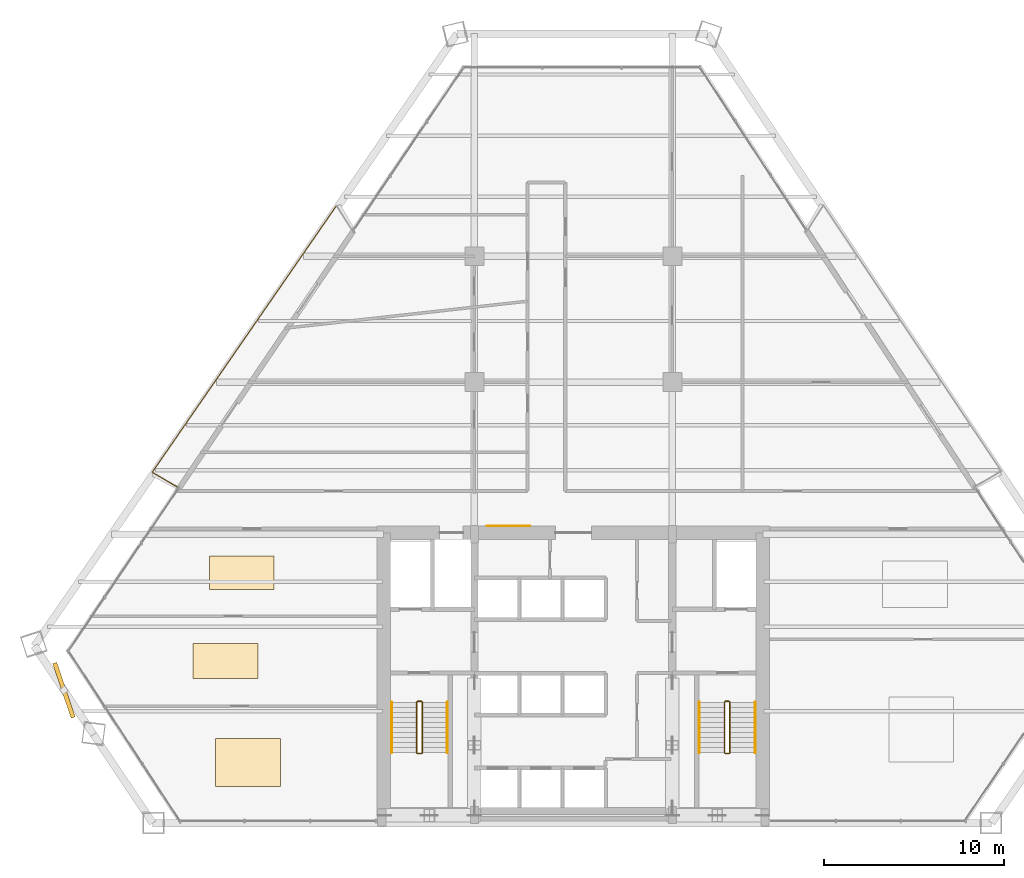
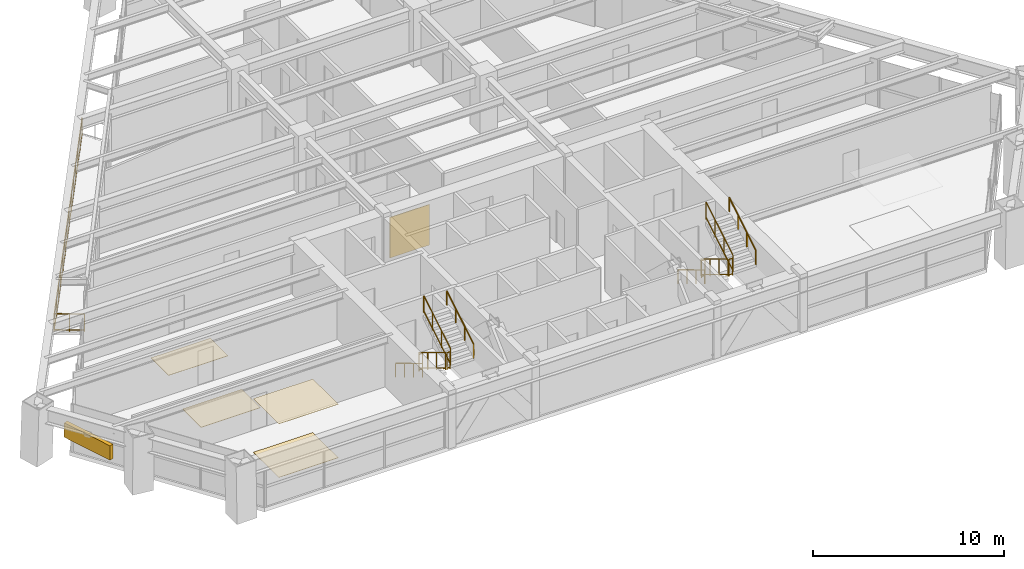
# One storey, part 13 of 14: 14 railings, 5 coverings, 1 shading device.
"""IFC4 building model written with IfcOpenShell, lengths in metres."""

from ifc_helpers import new_model, si_unit, direction, frame, origin, origin_2d, place, context, subcontext, project, spatial, rectangle, extrude, source, transform, mapped, material, layer, layer_set, type_object, type_shapes, element, save


model = new_model("IFC4")

# Units and contexts
model_context = context("Model", 3, precision=1e-05, world=origin(), true_north=direction((0.0, 1.0)))
body_context = subcontext(model_context, "Body", "Model", "MODEL_VIEW")
ifc_project = project(units=[si_unit("LENGTHUNIT", "METRE"), si_unit("AREAUNIT", "SQUARE_METRE"), si_unit("VOLUMEUNIT", "CUBIC_METRE"), si_unit("PLANEANGLEUNIT", "RADIAN"), si_unit("MASSUNIT", "GRAM", prefix="KILO")], contexts=[model_context])

# Site, building, storey
site_placement = place(None, origin())
site = spatial("IfcSite", under=ifc_project, at=site_placement, CompositionType="ELEMENT")
building_placement = place(site_placement, origin())
building = spatial("IfcBuilding", under=site, at=building_placement, Name="Varnakhor Terracotta Tower", CompositionType="ELEMENT")
storey_placement = place(building_placement, frame((0.0, 0.0, 76.60009765625)))
storey = spatial("IfcBuildingStorey", under=building, at=storey_placement, Name="L18", CompositionType="ELEMENT", Elevation=76.60009765625)

# Railings
ifc_material_1 = material(Name="Stainless Steel & Laminated Glass Guardrail", Category="steel")
railing_type_1 = type_object("IfcRailingType", Name="RLG-LOGGIA-GUARD-1150", PredefinedType="GUARDRAIL", material=ifc_material_1)
railing_1_placement = place(storey_placement, frame((-22.029052734375, 18.680419921875, 0.0)))
element("IfcRailing", 1, at=railing_1_placement, inside=storey, type_object=railing_type_1, Name="L18 W Loggia Glass Guard 1", PredefinedType="GUARDRAIL", context=body_context, shape_type="SweptSolid", body=[
    extrude(rectangle(XDim=0.048095703125, YDim=0.048095703125, at=origin_2d()), frame((0.0, 0.0, 1.1259765625), z_axis=(-0.859187314516, 0.51166117556, 0.0), x_axis=(-0.51166117556, -0.859187314516, 0.0)), (0.0, 0.0, 1.0), 1.597412109375),
    extrude(rectangle(XDim=0.048095703125, YDim=0.048095703125, at=origin_2d()), frame((0.0, 0.0, 0.10009765625), z_axis=(-0.859187314516, 0.51166117556, 0.0), x_axis=(-0.51166117556, -0.859187314516, 0.0)), (0.0, 0.0, 1.0), 1.597412109375),
    extrude(rectangle(XDim=0.0419921875, YDim=0.0419921875, at=origin_2d()), origin(), (0.0, 0.0, 1.0), 1.101806640625),
    extrude(rectangle(XDim=0.0419921875, YDim=0.0419921875, at=origin_2d()), frame((-0.686279296875, 0.40869140625, 0.0)), (0.0, 0.0, 1.0), 1.101806640625),
    extrude(rectangle(XDim=0.0419921875, YDim=0.0419921875, at=origin_2d()), frame((-1.37255859375, 0.8173828125, 0.0)), (0.0, 0.0, 1.0), 1.101806640625),
])
railing_2_placement = place(storey_placement, frame((-23.401611328125, 19.497802734375, 0.0)))
element("IfcRailing", 2, at=railing_2_placement, inside=storey, type_object=railing_type_1, Name="L18 W Loggia Glass Guard 2", PredefinedType="GUARDRAIL", context=body_context, shape_type="SweptSolid", body=[
    extrude(rectangle(XDim=0.048095703125, YDim=0.048095703125, at=origin_2d()), frame((0.0, 0.0, 1.1259765625), z_axis=(0.568575075334, 0.82263137778, 0.0), x_axis=(-0.82263137778, 0.568575075334, 0.0)), (0.0, 0.0, 1.0), 18.0009765625),
    extrude(rectangle(XDim=0.048095703125, YDim=0.048095703125, at=origin_2d()), frame((0.0, 0.0, 0.10009765625), z_axis=(0.568575075334, 0.82263137778, 0.0), x_axis=(-0.82263137778, 0.568575075334, 0.0)), (0.0, 0.0, 1.0), 18.0009765625),
    extrude(rectangle(XDim=0.0419921875, YDim=0.0419921875, at=origin_2d()), origin(), (0.0, 0.0, 1.0), 1.101806640625),
    extrude(rectangle(XDim=0.0419921875, YDim=0.0419921875, at=origin_2d()), frame((0.787353515625, 1.13916015625, 0.0)), (0.0, 0.0, 1.0), 1.101806640625),
    extrude(rectangle(XDim=0.0419921875, YDim=0.0419921875, at=origin_2d()), frame((1.57470703125, 2.278076171875, 0.0)), (0.0, 0.0, 1.0), 1.101806640625),
    extrude(rectangle(XDim=0.0419921875, YDim=0.0419921875, at=origin_2d()), frame((2.36181640625, 3.417236328125, 0.0)), (0.0, 0.0, 1.0), 1.101806640625),
    extrude(rectangle(XDim=0.0419921875, YDim=0.0419921875, at=origin_2d()), frame((3.149169921875, 4.556396484375, 0.0)), (0.0, 0.0, 1.0), 1.101806640625),
    extrude(rectangle(XDim=0.0419921875, YDim=0.0419921875, at=origin_2d()), frame((3.9365234375, 5.6953125, 0.0)), (0.0, 0.0, 1.0), 1.101806640625),
    extrude(rectangle(XDim=0.0419921875, YDim=0.0419921875, at=origin_2d()), frame((4.723876953125, 6.83447265625, 0.0)), (0.0, 0.0, 1.0), 1.101806640625),
    extrude(rectangle(XDim=0.0419921875, YDim=0.0419921875, at=origin_2d()), frame((5.510986328125, 7.9736328125, 0.0)), (0.0, 0.0, 1.0), 1.101806640625),
    extrude(rectangle(XDim=0.0419921875, YDim=0.0419921875, at=origin_2d()), frame((6.29833984375, 9.11279296875, 0.0)), (0.0, 0.0, 1.0), 1.101806640625),
    extrude(rectangle(XDim=0.0419921875, YDim=0.0419921875, at=origin_2d()), frame((7.085693359375, 10.251708984375, 0.0)), (0.0, 0.0, 1.0), 1.101806640625),
    extrude(rectangle(XDim=0.0419921875, YDim=0.0419921875, at=origin_2d()), frame((7.873046875, 11.390869140625, 0.0)), (0.0, 0.0, 1.0), 1.101806640625),
    extrude(rectangle(XDim=0.0419921875, YDim=0.0419921875, at=origin_2d()), frame((8.66015625, 12.530029296875, 0.0)), (0.0, 0.0, 1.0), 1.101806640625),
    extrude(rectangle(XDim=0.0419921875, YDim=0.0419921875, at=origin_2d()), frame((9.447509765625, 13.6689453125, 0.0)), (0.0, 0.0, 1.0), 1.101806640625),
    extrude(rectangle(XDim=0.0419921875, YDim=0.0419921875, at=origin_2d()), frame((10.23486328125, 14.80810546875, 0.0)), (0.0, 0.0, 1.0), 1.101806640625),
])
ifc_material_2 = material(Name="Painted Steel Stairwell Guardrail", Category="steel")
railing_type_2 = type_object("IfcRailingType", Name="RLG-STAIR-GUARD-1120", PredefinedType="GUARDRAIL", material=ifc_material_2)
railing_3_placement = place(storey_placement, frame((-8.699951171875, 6.7099609375, 0.16796875)))
element("IfcRailing", 3, at=railing_3_placement, inside=storey, type_object=railing_type_2, Name="L18 ST-1 stair guard 1", PredefinedType="GUARDRAIL", context=body_context, shape_type="SweptSolid", body=[
    extrude(rectangle(XDim=0.048095703125, YDim=0.048095703125, at=origin_2d()), frame((0.0, 0.0, 1.09619140625), z_axis=(0.0, -0.857242210791, 0.514913383045), x_axis=(1.0, 0.0, 0.0)), (0.0, 0.0, 1.0), 3.266357421875),
    extrude(rectangle(XDim=0.048095703125, YDim=0.048095703125, at=origin_2d()), frame((0.0, 0.0, 0.10009765625), z_axis=(0.0, -0.857242210791, 0.514913383045), x_axis=(1.0, 0.0, 0.0)), (0.0, 0.0, 1.0), 3.266357421875),
    extrude(rectangle(XDim=0.0419921875, YDim=0.0419921875, at=origin_2d()), origin(), (0.0, 0.0, 1.0), 1.072021484375),
    extrude(rectangle(XDim=0.0419921875, YDim=0.0419921875, at=origin_2d()), frame((0.0, -0.933349609375, 0.560546875)), (0.0, 0.0, 1.0), 1.072021484375),
    extrude(rectangle(XDim=0.0419921875, YDim=0.0419921875, at=origin_2d()), frame((0.0, -1.86669921875, 1.121337890625)), (0.0, 0.0, 1.0), 1.072021484375),
    extrude(rectangle(XDim=0.0419921875, YDim=0.0419921875, at=origin_2d()), frame((0.0, -2.800048828125, 1.681884765625)), (0.0, 0.0, 1.0), 1.072021484375),
])
railing_4_placement = place(storey_placement, frame((-8.64990234375, 3.860107421875, 1.849853515625)))
element("IfcRailing", 4, at=railing_4_placement, inside=storey, type_object=railing_type_2, Name="L18 ST-1 stair guard 2", PredefinedType="GUARDRAIL", context=body_context, shape_type="SweptSolid", body=[
    extrude(rectangle(XDim=0.048095703125, YDim=0.048095703125, at=origin_2d()), frame((0.0, 0.0, 1.09619140625), z_axis=(1.0, 0.0, 0.0), x_axis=(0.0, 1.0, 0.0)), (0.0, 0.0, 1.0), 0.199951171875),
    extrude(rectangle(XDim=0.048095703125, YDim=0.048095703125, at=origin_2d()), frame((0.0, 0.0, 0.10009765625), z_axis=(1.0, 0.0, 0.0), x_axis=(0.0, 1.0, 0.0)), (0.0, 0.0, 1.0), 0.199951171875),
    extrude(rectangle(XDim=0.0419921875, YDim=0.0419921875, at=origin_2d()), origin(), (0.0, 0.0, 1.0), 1.072021484375),
    extrude(rectangle(XDim=0.0419921875, YDim=0.0419921875, at=origin_2d()), frame((0.199951171875, 0.0, 0.0)), (0.0, 0.0, 1.0), 1.072021484375),
])
railing_5_placement = place(storey_placement, frame((-8.39990234375, 3.909912109375, 2.01806640625)))
element("IfcRailing", 5, at=railing_5_placement, inside=storey, type_object=railing_type_2, Name="L18 ST-1 stair guard 3", PredefinedType="GUARDRAIL", context=body_context, shape_type="SweptSolid", body=[
    extrude(rectangle(XDim=0.048095703125, YDim=0.048095703125, at=origin_2d()), frame((0.0, 0.0, 1.09619140625), z_axis=(0.0, 0.857242210791, 0.514913383045), x_axis=(-1.0, 0.0, 0.0)), (0.0, 0.0, 1.0), 3.266357421875),
    extrude(rectangle(XDim=0.048095703125, YDim=0.048095703125, at=origin_2d()), frame((0.0, 0.0, 0.10009765625), z_axis=(0.0, 0.857242210791, 0.514913383045), x_axis=(-1.0, 0.0, 0.0)), (0.0, 0.0, 1.0), 3.266357421875),
    extrude(rectangle(XDim=0.0419921875, YDim=0.0419921875, at=origin_2d()), origin(), (0.0, 0.0, 1.0), 1.072021484375),
    extrude(rectangle(XDim=0.0419921875, YDim=0.0419921875, at=origin_2d()), frame((0.0, 0.933349609375, 0.560546875)), (0.0, 0.0, 1.0), 1.072021484375),
    extrude(rectangle(XDim=0.0419921875, YDim=0.0419921875, at=origin_2d()), frame((0.0, 1.86669921875, 1.121337890625)), (0.0, 0.0, 1.0), 1.072021484375),
    extrude(rectangle(XDim=0.0419921875, YDim=0.0419921875, at=origin_2d()), frame((0.0, 2.800048828125, 1.681884765625)), (0.0, 0.0, 1.0), 1.072021484375),
])
railing_6_placement = place(storey_placement, frame((-8.64990234375, 6.760009765625, 0.0)))
element("IfcRailing", 6, at=railing_6_placement, inside=storey, type_object=railing_type_2, Name="L18 ST-1 stair guard 4", PredefinedType="GUARDRAIL", context=body_context, shape_type="SweptSolid", body=[
    extrude(rectangle(XDim=0.048095703125, YDim=0.048095703125, at=origin_2d()), frame((0.0, 0.0, 1.09619140625), z_axis=(1.0, 0.0, 0.0), x_axis=(0.0, 1.0, 0.0)), (0.0, 0.0, 1.0), 0.199951171875),
    extrude(rectangle(XDim=0.048095703125, YDim=0.048095703125, at=origin_2d()), frame((0.0, 0.0, 0.10009765625), z_axis=(1.0, 0.0, 0.0), x_axis=(0.0, 1.0, 0.0)), (0.0, 0.0, 1.0), 0.199951171875),
    extrude(rectangle(XDim=0.0419921875, YDim=0.0419921875, at=origin_2d()), origin(), (0.0, 0.0, 1.0), 1.072021484375),
    extrude(rectangle(XDim=0.0419921875, YDim=0.0419921875, at=origin_2d()), frame((0.199951171875, 0.0, 0.0)), (0.0, 0.0, 1.0), 1.072021484375),
])
railing_7_placement = place(storey_placement, frame((8.39990234375, 6.7099609375, 0.16796875)))
element("IfcRailing", 7, at=railing_7_placement, inside=storey, type_object=railing_type_2, Name="L18 ST-2 stair guard 1", PredefinedType="GUARDRAIL", context=body_context, shape_type="SweptSolid", body=[
    extrude(rectangle(XDim=0.048095703125, YDim=0.048095703125, at=origin_2d()), frame((0.0, 0.0, 1.09619140625), z_axis=(0.0, -0.857242210791, 0.514913383045), x_axis=(1.0, 0.0, 0.0)), (0.0, 0.0, 1.0), 3.266357421875),
    extrude(rectangle(XDim=0.048095703125, YDim=0.048095703125, at=origin_2d()), frame((0.0, 0.0, 0.10009765625), z_axis=(0.0, -0.857242210791, 0.514913383045), x_axis=(1.0, 0.0, 0.0)), (0.0, 0.0, 1.0), 3.266357421875),
    extrude(rectangle(XDim=0.0419921875, YDim=0.0419921875, at=origin_2d()), origin(), (0.0, 0.0, 1.0), 1.072021484375),
    extrude(rectangle(XDim=0.0419921875, YDim=0.0419921875, at=origin_2d()), frame((0.0, -0.933349609375, 0.560546875)), (0.0, 0.0, 1.0), 1.072021484375),
    extrude(rectangle(XDim=0.0419921875, YDim=0.0419921875, at=origin_2d()), frame((0.0, -1.86669921875, 1.121337890625)), (0.0, 0.0, 1.0), 1.072021484375),
    extrude(rectangle(XDim=0.0419921875, YDim=0.0419921875, at=origin_2d()), frame((0.0, -2.800048828125, 1.681884765625)), (0.0, 0.0, 1.0), 1.072021484375),
])
railing_8_placement = place(storey_placement, frame((8.449951171875, 3.860107421875, 1.849853515625)))
element("IfcRailing", 8, at=railing_8_placement, inside=storey, type_object=railing_type_2, Name="L18 ST-2 stair guard 2", PredefinedType="GUARDRAIL", context=body_context, shape_type="SweptSolid", body=[
    extrude(rectangle(XDim=0.048095703125, YDim=0.048095703125, at=origin_2d()), frame((0.0, 0.0, 1.09619140625), z_axis=(1.0, 0.0, 0.0), x_axis=(0.0, 1.0, 0.0)), (0.0, 0.0, 1.0), 0.199951171875),
    extrude(rectangle(XDim=0.048095703125, YDim=0.048095703125, at=origin_2d()), frame((0.0, 0.0, 0.10009765625), z_axis=(1.0, 0.0, 0.0), x_axis=(0.0, 1.0, 0.0)), (0.0, 0.0, 1.0), 0.199951171875),
    extrude(rectangle(XDim=0.0419921875, YDim=0.0419921875, at=origin_2d()), origin(), (0.0, 0.0, 1.0), 1.072021484375),
    extrude(rectangle(XDim=0.0419921875, YDim=0.0419921875, at=origin_2d()), frame((0.199951171875, 0.0, 0.0)), (0.0, 0.0, 1.0), 1.072021484375),
])
railing_9_placement = place(storey_placement, frame((8.699951171875, 3.909912109375, 2.01806640625)))
element("IfcRailing", 9, at=railing_9_placement, inside=storey, type_object=railing_type_2, Name="L18 ST-2 stair guard 3", PredefinedType="GUARDRAIL", context=body_context, shape_type="SweptSolid", body=[
    extrude(rectangle(XDim=0.048095703125, YDim=0.048095703125, at=origin_2d()), frame((0.0, 0.0, 1.09619140625), z_axis=(0.0, 0.857242210791, 0.514913383045), x_axis=(-1.0, 0.0, 0.0)), (0.0, 0.0, 1.0), 3.266357421875),
    extrude(rectangle(XDim=0.048095703125, YDim=0.048095703125, at=origin_2d()), frame((0.0, 0.0, 0.10009765625), z_axis=(0.0, 0.857242210791, 0.514913383045), x_axis=(-1.0, 0.0, 0.0)), (0.0, 0.0, 1.0), 3.266357421875),
    extrude(rectangle(XDim=0.0419921875, YDim=0.0419921875, at=origin_2d()), origin(), (0.0, 0.0, 1.0), 1.072021484375),
    extrude(rectangle(XDim=0.0419921875, YDim=0.0419921875, at=origin_2d()), frame((0.0, 0.933349609375, 0.560546875)), (0.0, 0.0, 1.0), 1.072021484375),
    extrude(rectangle(XDim=0.0419921875, YDim=0.0419921875, at=origin_2d()), frame((0.0, 1.86669921875, 1.121337890625)), (0.0, 0.0, 1.0), 1.072021484375),
    extrude(rectangle(XDim=0.0419921875, YDim=0.0419921875, at=origin_2d()), frame((0.0, 2.800048828125, 1.681884765625)), (0.0, 0.0, 1.0), 1.072021484375),
])
railing_10_placement = place(storey_placement, frame((8.449951171875, 6.760009765625, 0.0)))
element("IfcRailing", 10, at=railing_10_placement, inside=storey, type_object=railing_type_2, Name="L18 ST-2 stair guard 4", PredefinedType="GUARDRAIL", context=body_context, shape_type="SweptSolid", body=[
    extrude(rectangle(XDim=0.048095703125, YDim=0.048095703125, at=origin_2d()), frame((0.0, 0.0, 1.09619140625), z_axis=(1.0, 0.0, 0.0), x_axis=(0.0, 1.0, 0.0)), (0.0, 0.0, 1.0), 0.199951171875),
    extrude(rectangle(XDim=0.048095703125, YDim=0.048095703125, at=origin_2d()), frame((0.0, 0.0, 0.10009765625), z_axis=(1.0, 0.0, 0.0), x_axis=(0.0, 1.0, 0.0)), (0.0, 0.0, 1.0), 0.199951171875),
    extrude(rectangle(XDim=0.0419921875, YDim=0.0419921875, at=origin_2d()), origin(), (0.0, 0.0, 1.0), 1.072021484375),
    extrude(rectangle(XDim=0.0419921875, YDim=0.0419921875, at=origin_2d()), frame((0.199951171875, 0.0, 0.0)), (0.0, 0.0, 1.0), 1.072021484375),
])
ifc_material_3 = material(Name="Brushed Stainless Steel Handrail", Category="steel")
railing_type_3 = type_object("IfcRailingType", Name="RLG-STAIR-HANDRAIL-920", PredefinedType="HANDRAIL", material=ifc_material_3)
railing_11_placement = place(storey_placement, frame((-10.10009765625, 6.7099609375, 0.16796875)))
element("IfcRailing", 11, at=railing_11_placement, inside=storey, type_object=railing_type_3, Name="L18 ST-1 stair handrail 1", PredefinedType="HANDRAIL", context=body_context, shape_type="SweptSolid", body=[
    extrude(rectangle(XDim=0.048095703125, YDim=0.048095703125, at=origin_2d()), frame((0.0, 0.0, 0.89599609375), z_axis=(0.0, -0.857242210791, 0.514913383045), x_axis=(1.0, 0.0, 0.0)), (0.0, 0.0, 1.0), 3.266357421875),
    extrude(rectangle(XDim=0.0419921875, YDim=0.0419921875, at=origin_2d()), origin(), (0.0, 0.0, 1.0), 0.871826171875),
    extrude(rectangle(XDim=0.0419921875, YDim=0.0419921875, at=origin_2d()), frame((0.0, -0.933349609375, 0.560546875)), (0.0, 0.0, 1.0), 0.871826171875),
    extrude(rectangle(XDim=0.0419921875, YDim=0.0419921875, at=origin_2d()), frame((0.0, -1.86669921875, 1.121337890625)), (0.0, 0.0, 1.0), 0.871826171875),
    extrude(rectangle(XDim=0.0419921875, YDim=0.0419921875, at=origin_2d()), frame((0.0, -2.800048828125, 1.681884765625)), (0.0, 0.0, 1.0), 0.871826171875),
])
railing_12_placement = place(storey_placement, frame((-7.0, 3.909912109375, 2.01806640625)))
element("IfcRailing", 12, at=railing_12_placement, inside=storey, type_object=railing_type_3, Name="L18 ST-1 stair handrail 2", PredefinedType="HANDRAIL", context=body_context, shape_type="SweptSolid", body=[
    extrude(rectangle(XDim=0.048095703125, YDim=0.048095703125, at=origin_2d()), frame((0.0, 0.0, 0.89599609375), z_axis=(0.0, 0.857242210791, 0.514913383045), x_axis=(-1.0, 0.0, 0.0)), (0.0, 0.0, 1.0), 3.266357421875),
    extrude(rectangle(XDim=0.0419921875, YDim=0.0419921875, at=origin_2d()), origin(), (0.0, 0.0, 1.0), 0.871826171875),
    extrude(rectangle(XDim=0.0419921875, YDim=0.0419921875, at=origin_2d()), frame((0.0, 0.933349609375, 0.560546875)), (0.0, 0.0, 1.0), 0.871826171875),
    extrude(rectangle(XDim=0.0419921875, YDim=0.0419921875, at=origin_2d()), frame((0.0, 1.86669921875, 1.121337890625)), (0.0, 0.0, 1.0), 0.871826171875),
    extrude(rectangle(XDim=0.0419921875, YDim=0.0419921875, at=origin_2d()), frame((0.0, 2.800048828125, 1.681884765625)), (0.0, 0.0, 1.0), 0.871826171875),
])
railing_13_placement = place(storey_placement, frame((7.0, 6.7099609375, 0.16796875)))
element("IfcRailing", 13, at=railing_13_placement, inside=storey, type_object=railing_type_3, Name="L18 ST-2 stair handrail 1", PredefinedType="HANDRAIL", context=body_context, shape_type="SweptSolid", body=[
    extrude(rectangle(XDim=0.048095703125, YDim=0.048095703125, at=origin_2d()), frame((0.0, 0.0, 0.89599609375), z_axis=(0.0, -0.857242210791, 0.514913383045), x_axis=(1.0, 0.0, 0.0)), (0.0, 0.0, 1.0), 3.266357421875),
    extrude(rectangle(XDim=0.0419921875, YDim=0.0419921875, at=origin_2d()), origin(), (0.0, 0.0, 1.0), 0.871826171875),
    extrude(rectangle(XDim=0.0419921875, YDim=0.0419921875, at=origin_2d()), frame((0.0, -0.933349609375, 0.560546875)), (0.0, 0.0, 1.0), 0.871826171875),
    extrude(rectangle(XDim=0.0419921875, YDim=0.0419921875, at=origin_2d()), frame((0.0, -1.86669921875, 1.121337890625)), (0.0, 0.0, 1.0), 0.871826171875),
    extrude(rectangle(XDim=0.0419921875, YDim=0.0419921875, at=origin_2d()), frame((0.0, -2.800048828125, 1.681884765625)), (0.0, 0.0, 1.0), 0.871826171875),
])
railing_14_placement = place(storey_placement, frame((10.10009765625, 3.909912109375, 2.01806640625)))
element("IfcRailing", 14, at=railing_14_placement, inside=storey, type_object=railing_type_3, Name="L18 ST-2 stair handrail 2", PredefinedType="HANDRAIL", context=body_context, shape_type="SweptSolid", body=[
    extrude(rectangle(XDim=0.048095703125, YDim=0.048095703125, at=origin_2d()), frame((0.0, 0.0, 0.89599609375), z_axis=(0.0, 0.857242210791, 0.514913383045), x_axis=(-1.0, 0.0, 0.0)), (0.0, 0.0, 1.0), 3.266357421875),
    extrude(rectangle(XDim=0.0419921875, YDim=0.0419921875, at=origin_2d()), origin(), (0.0, 0.0, 1.0), 0.871826171875),
    extrude(rectangle(XDim=0.0419921875, YDim=0.0419921875, at=origin_2d()), frame((0.0, 0.933349609375, 0.560546875)), (0.0, 0.0, 1.0), 0.871826171875),
    extrude(rectangle(XDim=0.0419921875, YDim=0.0419921875, at=origin_2d()), frame((0.0, 1.86669921875, 1.121337890625)), (0.0, 0.0, 1.0), 0.871826171875),
    extrude(rectangle(XDim=0.0419921875, YDim=0.0419921875, at=origin_2d()), frame((0.0, 2.800048828125, 1.681884765625)), (0.0, 0.0, 1.0), 0.871826171875),
])

# Shading device
ifc_material_4 = material(Name="Extruded Architectural Terracotta Screen", Category="masonry")
shading_device_type = type_object("IfcShadingDeviceType", Name="TERRACOTTA SOLAR SCREEN W", PredefinedType="USERDEFINED", material=ifc_material_4)
shared_shape_1 = source(origin(), body_context, "Body", "SweptSolid", [
    extrude(rectangle(XDim=3.199951171875, YDim=0.239990234375, at=origin_2d()), origin(), (0.0, 0.0, 1.0), 0.919921875),
])
type_shapes(shading_device_type, [shared_shape_1])
shading_device_placement = place(storey_placement, frame((-28.311279296875, 7.37939453125, 1.617919921875), z_axis=(0.0, 0.0, 1.0), x_axis=(0.321274189923, -0.946986216842, 0.0)))
element("IfcShadingDevice", 15, at=shading_device_placement, inside=storey, type_object=shading_device_type, Name="L18 W Terracotta Solar Screen", ObjectType="SCREEN", PredefinedType="USERDEFINED", context=body_context, shape_type="MappedRepresentation", body=[
    mapped(shared_shape_1, transform((0.0, 0.0, 0.0), scale=1.0)),
])

# Coverings
ifc_material_5 = material(Name="Extruded Architectural Terracotta Cladding", Category="masonry")
ifc_layer_1 = layer(ifc_material_5, 0.044921875, Name="Extruded Architectural Terracotta Cladding")
ifc_layer_set_1 = layer_set([ifc_layer_1], Name="Extruded Architectural Terracotta Cladding")
covering_type_1 = type_object("IfcCoveringType", Name="COV-CLAD-TERRACOTTA", PredefinedType="CLADDING", material=ifc_layer_set_1)
shared_shape_2 = source(origin(), body_context, "Body", "SweptSolid", [
    extrude(rectangle(XDim=2.39990234375, YDim=0.030029296875, at=origin_2d()), origin(), (0.0, 0.0, 1.0), 2.60009765625),
])
type_shapes(covering_type_1, [shared_shape_2])
covering_1_placement = place(storey_placement, frame((-3.60009765625, 16.511962890625, -0.000244140625), z_axis=(0.0, 0.0, 1.0), x_axis=(1.0, 0.0, 0.0)))
element("IfcCovering", 16, at=covering_1_placement, inside=storey, type_object=covering_type_1, Name="L18 Core Lobby Limestone Cladding", PredefinedType="CLADDING", context=body_context, shape_type="MappedRepresentation", body=[
    mapped(shared_shape_2, transform((0.0, 0.0, 0.0), scale=1.0)),
])
ifc_material_6 = material(Name="Honed Riyadh Limestone Flooring", Category="masonry")
ifc_layer_2 = layer(ifc_material_6, 0.030029296875, Name="Honed Riyadh Limestone Flooring")
ifc_layer_set_2 = layer_set([ifc_layer_2], Name="Honed Riyadh Limestone Flooring")
covering_type_2 = type_object("IfcCoveringType", Name="COV-FLOOR-LIMESTONE", PredefinedType="FLOORING", material=ifc_layer_set_2)
shared_shape_3 = source(origin(), body_context, "Body", "SweptSolid", [
    extrude(rectangle(XDim=3.60009765625, YDim=1.950927734375, at=origin_2d()), origin(), (0.0, 0.0, 1.0), 0.02001953125),
])
covering_2_placement = place(storey_placement, frame((-19.326904296875, 9.0, 0.0), z_axis=(0.0, 0.0, 1.0), x_axis=(1.0, 0.0, 0.0)))
element("IfcCovering", 17, at=covering_2_placement, inside=storey, type_object=covering_type_2, Name="L18 Honed Stone Flooring 3", PredefinedType="FLOORING", context=body_context, shape_type="MappedRepresentation", body=[
    mapped(shared_shape_3, transform((0.0, 0.0, 0.0), scale=1.0)),
])
shared_shape_4 = source(origin(), body_context, "Body", "SweptSolid", [
    extrude(rectangle(XDim=3.60009765625, YDim=2.6640625, at=origin_2d()), origin(), (0.0, 0.0, 1.0), 0.02001953125),
])
covering_3_placement = place(storey_placement, frame((-18.0859375, 3.35205078125, 0.0), z_axis=(0.0, 0.0, 1.0), x_axis=(1.0, 0.0, 0.0)))
element("IfcCovering", 18, at=covering_3_placement, inside=storey, type_object=covering_type_2, Name="L18 Honed Stone Flooring 1", PredefinedType="FLOORING", context=body_context, shape_type="MappedRepresentation", body=[
    mapped(shared_shape_4, transform((0.0, 0.0, 0.0), scale=1.0)),
])
ifc_material_7 = material(Name="Perforated Acoustic Mineral-Fibre Ceiling", Category="gypsum")
ifc_layer_3 = layer(ifc_material_7, 0.02490234375, Name="Perforated Acoustic Mineral-Fibre Ceiling")
ifc_layer_set_3 = layer_set([ifc_layer_3], Name="Perforated Acoustic Mineral-Fibre Ceiling")
covering_type_3 = type_object("IfcCoveringType", Name="COV-CEILING-ACOUSTIC", PredefinedType="CEILING", material=ifc_layer_set_3)
shared_shape_5 = source(origin(), body_context, "Body", "SweptSolid", [
    extrude(rectangle(XDim=3.60009765625, YDim=2.6640625, at=origin_2d()), origin(), (0.0, 0.0, 1.0), 0.02392578125),
])
covering_4_placement = place(storey_placement, frame((-18.0859375, 3.35205078125, 3.426025390625), z_axis=(0.0, 0.0, 1.0), x_axis=(1.0, 0.0, 0.0)))
element("IfcCovering", 19, at=covering_4_placement, inside=storey, type_object=covering_type_3, Name="L18 Acoustic Ceiling Panel 1", PredefinedType="CEILING", context=body_context, shape_type="MappedRepresentation", body=[
    mapped(shared_shape_5, transform((0.0, 0.0, 0.0), scale=1.0)),
])
shared_shape_6 = source(origin(), body_context, "Body", "SweptSolid", [
    extrude(rectangle(XDim=3.60009765625, YDim=1.85693359375, at=origin_2d()), origin(), (0.0, 0.0, 1.0), 0.02001953125),
])
covering_5_placement = place(storey_placement, frame((-18.424072265625, 13.9140625, 0.0), z_axis=(0.0, 0.0, 1.0), x_axis=(1.0, 0.0, 0.0)))
element("IfcCovering", 20, at=covering_5_placement, inside=storey, type_object=covering_type_2, Name="L18 Honed Stone Flooring 5", PredefinedType="FLOORING", context=body_context, shape_type="MappedRepresentation", body=[
    mapped(shared_shape_6, transform((0.0, 0.0, 0.0), scale=1.0)),
])

save(model, "model.ifc")
